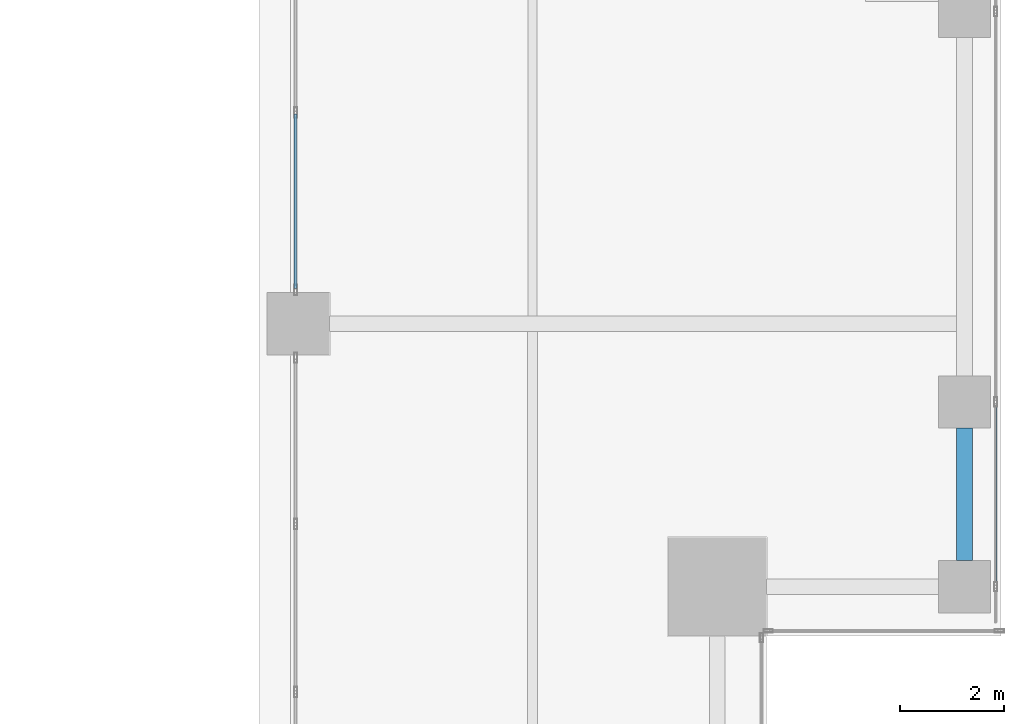
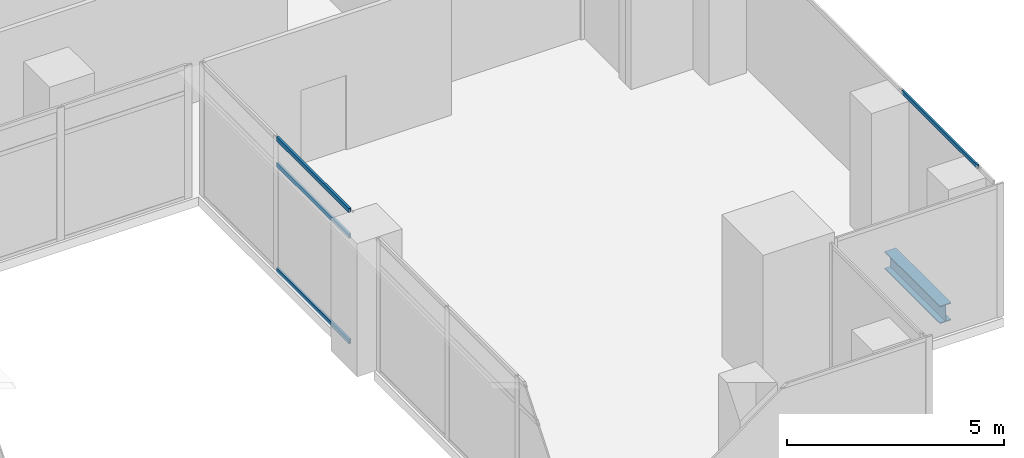
# One storey, part 12 of 38: 4 members, 1 beam, 2 elements without a shape of their own.
"""IFC4 building model written with IfcOpenShell, lengths in metres."""

from ifc_helpers import new_model, si_unit, direction, frame, origin, origin_2d, place, context, subcontext, project, spatial, hollow_rectangle, i_section, extrude, source, transform, mapped, material, material_profile, profile_set, type_object, element, aggregate, save


model = new_model("IFC4")

# Units and contexts
model_context = context("Model", 3, precision=1e-05, world=origin(), true_north=direction((0.0, 1.0)))
body_context = subcontext(model_context, "Body", "Model", "MODEL_VIEW")
ifc_project = project(units=[si_unit("LENGTHUNIT", "METRE"), si_unit("AREAUNIT", "SQUARE_METRE"), si_unit("VOLUMEUNIT", "CUBIC_METRE"), si_unit("PLANEANGLEUNIT", "RADIAN"), si_unit("MASSUNIT", "GRAM", prefix="KILO")], contexts=[model_context])

# Site, building, storey
site_placement = place(None, origin())
site = spatial("IfcSite", under=ifc_project, at=site_placement, CompositionType="ELEMENT")
building_placement = place(site_placement, origin())
building = spatial("IfcBuilding", under=site, at=building_placement, Name="Khomas Fold Tower", CompositionType="ELEMENT")
storey_placement = place(building_placement, frame((0.0, 0.0, 172.699951171875)))
storey = spatial("IfcBuildingStorey", under=building, at=storey_placement, Name="L37", CompositionType="ELEMENT", Elevation=172.699951171875)

# Beam
ifc_material_1 = material(Name="Steel S355", Category="steel")
ifc_material_profile_1 = material_profile(ifc_material_1, i_section(OverallWidth=0.300048828125, OverallDepth=0.5, WebThickness=0.014404296875, FlangeThickness=0.028076171875, at=origin_2d()), Name="HE 500 B")
ifc_profile_set_1 = profile_set([ifc_material_profile_1], Name="Steel S355")
beam_type = type_object("IfcBeamType", Name="HE 500 B spandrel SB3", PredefinedType="SPANDREL", material=ifc_profile_set_1)
shared_shape_1 = source(origin(), body_context, "Body", "SweptSolid", [
    extrude(i_section(OverallWidth=0.300048828125, OverallDepth=0.5, WebThickness=0.014404296875, FlangeThickness=0.028076171875, at=origin_2d()), origin(), (0.0, 0.0, 1.0), 2.550048828125),
])
beam_placement = place(storey_placement, frame((50.300048828125, 8.949951171875, -0.5), z_axis=(0.0, 1.0, 0.0), x_axis=(-1.0, 0.0, 0.0)))
element("IfcBeam", 1, at=beam_placement, inside=storey, type_object=beam_type, Name="SB3", PredefinedType="SPANDREL", context=body_context, shape_type="MappedRepresentation", body=[
    mapped(shared_shape_1, transform((0.0, 0.0, 0.0))),
])

# Curtain wall, member
ifc_material_2 = material(Name="Aluminium framed double glazing", Category="aluminium")
curtain_wall_type_1 = type_object("IfcCurtainWallType", Name="SK-Unitised clear-glass wall, office floors CW2", PredefinedType="NOTDEFINED", material=ifc_material_2)
curtain_wall_1_placement = place(storey_placement, origin())
curtain_wall_1 = element("IfcCurtainWall", 2, at=curtain_wall_1_placement, inside=storey, type_object=curtain_wall_type_1, Name="CW2 run L37 08-0", PredefinedType="NOTDEFINED")
ifc_material_3 = material(Name="Aluminium", Category="aluminium")
ifc_material_profile_2 = material_profile(ifc_material_3, hollow_rectangle(XDim=0.050048828125, YDim=0.110107421875, WallThickness=0.00390625, at=origin_2d()), Name="SK-Unitised clear-glass wall, office floors transom CW2-T")
ifc_profile_set_2 = profile_set([ifc_material_profile_2], Name="Aluminium")
member_type_1 = type_object("IfcMemberType", Name="SK-Unitised clear-glass wall, office floors transom CW2-T", PredefinedType="USERDEFINED", material=ifc_profile_set_2)
shared_shape_2 = source(origin(), body_context, "Body", "SweptSolid", [
    extrude(hollow_rectangle(XDim=0.050048828125, YDim=0.110107421875, WallThickness=0.00390625, at=origin_2d()), origin(), (0.0, 0.0, 1.0), 3.489990234375),
])
member_1_placement = place(storey_placement, frame((50.89990234375, 8.47998046875, 3.695068359375), z_axis=(0.0, 1.0, 0.0), x_axis=(-1.0, 0.0, 0.0)))
member_1 = element("IfcMember", 3, at=member_1_placement, type_object=member_type_1, Name="CW2 transom 2", ObjectType="TRANSOM", PredefinedType="USERDEFINED", context=body_context, shape_type="MappedRepresentation", body=[
    mapped(shared_shape_2, transform((0.0, 0.0, 0.0))),
])
aggregate(curtain_wall_1, [member_1])

# Curtain wall, members
ifc_material_4 = material(Name="Aluminium framed double glazing", Category="aluminium")
curtain_wall_type_2 = type_object("IfcCurtainWallType", Name="Notch glazing GN-CW", PredefinedType="NOTDEFINED", material=ifc_material_4)
curtain_wall_2_placement = place(storey_placement, origin())
curtain_wall_2 = element("IfcCurtainWall", 4, at=curtain_wall_2_placement, inside=storey, type_object=curtain_wall_type_2, Name="Notch glazing run", PredefinedType="NOTDEFINED")
ifc_material_5 = material(Name="Aluminium", Category="aluminium")
ifc_material_profile_3 = material_profile(ifc_material_5, hollow_rectangle(XDim=0.06005859375, YDim=0.1201171875, WallThickness=0.00390625, at=origin_2d()), Name="Notch glazing transom GN-CW-T")
ifc_profile_set_3 = profile_set([ifc_material_profile_3], Name="Aluminium")
member_type_2 = type_object("IfcMemberType", Name="Notch glazing transom GN-CW-T", PredefinedType="USERDEFINED", material=ifc_profile_set_3)
shared_shape_3 = source(origin(), body_context, "Body", "SweptSolid", [
    extrude(hollow_rectangle(XDim=0.06005859375, YDim=0.1201171875, WallThickness=0.00390625, at=origin_2d()), origin(), (0.0, 0.0, 1.0), 3.35009765625),
])
member_2_placement = place(storey_placement, frame((37.449951171875, 17.530029296875, 0.030029296875), z_axis=(0.0, -1.0, 0.0), x_axis=(1.0, 0.0, 0.0)))
member_2 = element("IfcMember", 5, at=member_2_placement, type_object=member_type_2, Name="GN-CW transom 2.1", ObjectType="TRANSOM", PredefinedType="USERDEFINED", context=body_context, shape_type="MappedRepresentation", body=[
    mapped(shared_shape_3, transform((0.0, 0.0, 0.0))),
])
member_3_placement = place(storey_placement, frame((37.449951171875, 17.530029296875, 3.0), z_axis=(0.0, -1.0, 0.0), x_axis=(1.0, 0.0, 0.0)))
member_3 = element("IfcMember", 6, at=member_3_placement, type_object=member_type_2, Name="GN-CW transom 2.2", ObjectType="TRANSOM", PredefinedType="USERDEFINED", context=body_context, shape_type="MappedRepresentation", body=[
    mapped(shared_shape_3, transform((0.0, 0.0, 0.0))),
])
member_4_placement = place(storey_placement, frame((37.449951171875, 17.530029296875, 3.719970703125), z_axis=(0.0, -1.0, 0.0), x_axis=(1.0, 0.0, 0.0)))
member_4 = element("IfcMember", 7, at=member_4_placement, type_object=member_type_2, Name="GN-CW transom 2.3", ObjectType="TRANSOM", PredefinedType="USERDEFINED", context=body_context, shape_type="MappedRepresentation", body=[
    mapped(shared_shape_3, transform((0.0, 0.0, 0.0))),
])
aggregate(curtain_wall_2, [member_2, member_3, member_4])

save(model, "model.ifc")
